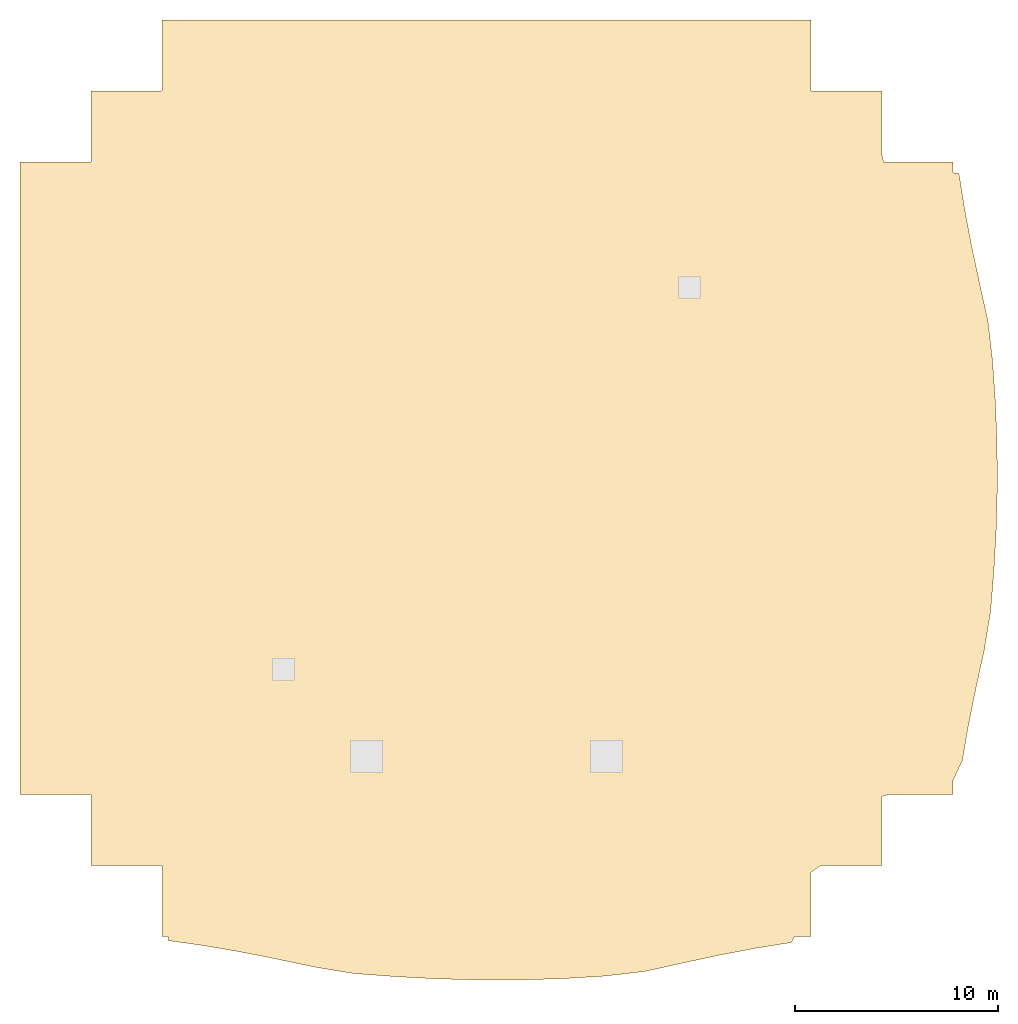
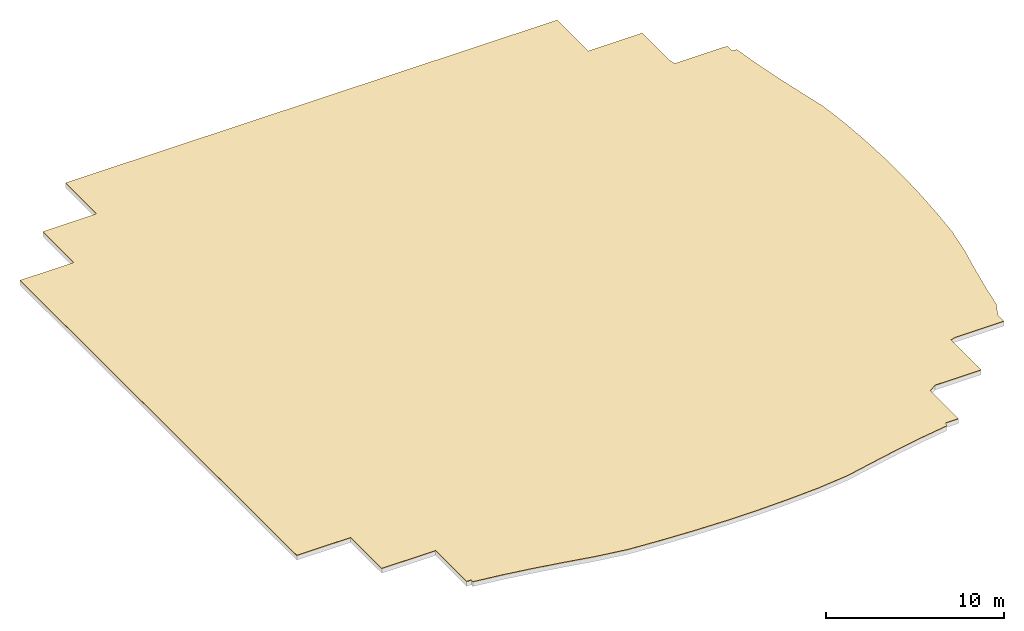
# One storey, part 2 of 2: 1 covering.
"""IFC4 building model written with IfcOpenShell, lengths in metres."""

from ifc_helpers import new_model, si_unit, direction, frame, origin, place, context, subcontext, project, spatial, polyline, outline, extrude, material, layer, layer_set, type_object, element, save


model = new_model("IFC4")

# Units and contexts
model_context = context("Model", 3, precision=1e-05, world=origin(), true_north=direction((0.0, 1.0)))
body_context = subcontext(model_context, "Body", "Model", "MODEL_VIEW")
ifc_project = project(units=[si_unit("LENGTHUNIT", "METRE"), si_unit("AREAUNIT", "SQUARE_METRE"), si_unit("VOLUMEUNIT", "CUBIC_METRE"), si_unit("PLANEANGLEUNIT", "RADIAN"), si_unit("MASSUNIT", "GRAM", prefix="KILO")], contexts=[model_context])

# Site, building, storey
site_placement = place(None, origin())
site = spatial("IfcSite", under=ifc_project, at=site_placement, CompositionType="ELEMENT")
building_placement = place(site_placement, origin())
building = spatial("IfcBuilding", under=site, at=building_placement, Name="Serunith Strait Residences", CompositionType="ELEMENT")
storey_placement = place(building_placement, frame((0.0, 0.0, 370.949951171875)))
storey = spatial("IfcBuildingStorey", under=building, at=storey_placement, Name="RF", CompositionType="ELEMENT", Elevation=370.949951171875)

# Covering
ifc_material = material(Name="EPDM & Inverted Stone Ballast Waterproofing Membrane", Category="masonry")
ifc_layer = layer(ifc_material, 0.034912109375, Name="EPDM & Inverted Stone Ballast Waterproofing Membrane")
ifc_layer_set = layer_set([ifc_layer], Name="EPDM & Inverted Stone Ballast Waterproofing Membrane")
covering_type = type_object("IfcCoveringType", Name="COV-ROOF-MEMB", PredefinedType="ROOFING", material=ifc_layer_set)
covering_placement = place(storey_placement, origin())
element("IfcCovering", 1, at=covering_placement, inside=storey, type_object=covering_type, Name="Crown 5-Lobe Canopy Waterproofing Membrane", PredefinedType="ROOFING", context=body_context, shape_type="SweptSolid", body=[
    extrude(outline(polyline([(16.419921875, 2.6201171875), (16.419921875, 6.1201171875), (12.919921875, 6.1201171875), (12.919921875, 9.6201171875), (9.419921875, 9.6201171875), (9.419921875, 40.780029296875), (12.919921875, 40.780029296875), (12.919921875, 44.280029296875), (16.367919921875, 44.280029296875), (16.419921875, 44.30712890625), (16.419921875, 47.780029296875), (48.3798828125, 47.780029296875), (48.3798828125, 44.280029296875), (51.8798828125, 44.280029296875), (51.8798828125, 41.16796875), (51.97216796875, 40.780029296875), (55.3798828125, 40.780029296875), (55.3798828125, 40.262451171875), (55.681396484375, 40.218017578125), (55.9609375, 38.452880859375), (56.29931640625, 36.670166015625), (56.68896484375, 34.851806640625), (57.10693359375, 32.97802734375), (57.335693359375, 30.991455078125), (57.4765625, 28.95361328125), (57.55908203125, 26.888916015625), (57.57421875, 24.8115234375), (57.520263671875, 22.73828125), (57.4052734375, 20.685302734375), (57.2421875, 18.66357421875), (56.92333984375, 16.722900390625), (56.5185546875, 14.87158203125), (56.1533203125, 13.066650390625), (55.843017578125, 11.289794921875), (55.3798828125, 10.2958984375), (55.3798828125, 9.6201171875), (52.2109375, 9.6201171875), (51.8798828125, 9.519775390625), (51.8798828125, 6.1201171875), (48.87939453125, 6.1201171875), (48.3798828125, 5.79248046875), (48.3798828125, 2.6201171875), (47.572509765625, 2.6201171875), (47.429931640625, 2.331298828125), (45.667724609375, 2.0498046875), (43.886962890625, 1.708984375), (42.06884765625, 1.31884765625), (40.19287109375, 0.904541015625), (38.20361328125, 0.67431640625), (36.1591796875, 0.5517578125), (34.090087890625, 0.4873046875), (32.011474609375, 0.485107421875), (29.93798828125, 0.54248046875), (27.884033203125, 0.651611328125), (25.859375, 0.80224609375), (23.919921875, 1.122314453125), (22.06591796875, 1.515625), (20.25927734375, 1.8720703125), (18.480712890625, 2.176513671875), (16.715576171875, 2.42529296875), (16.71728515625, 2.6201171875), (16.419921875, 2.6201171875)])), origin(), (0.0, 0.0, 1.0), 0.03515625),
])

save(model, "model.ifc")
